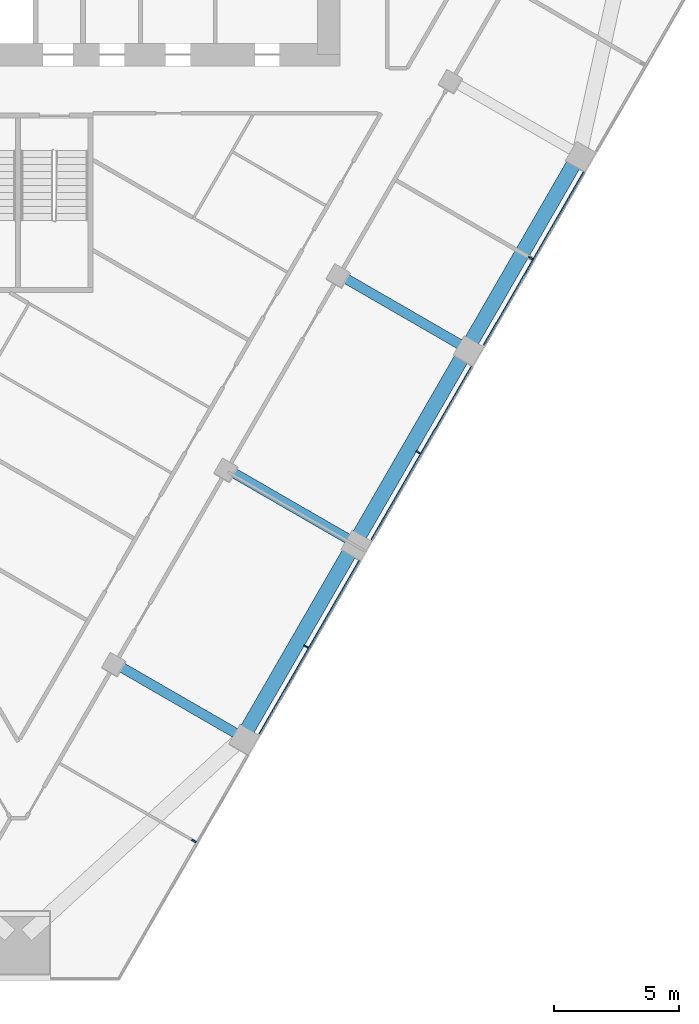
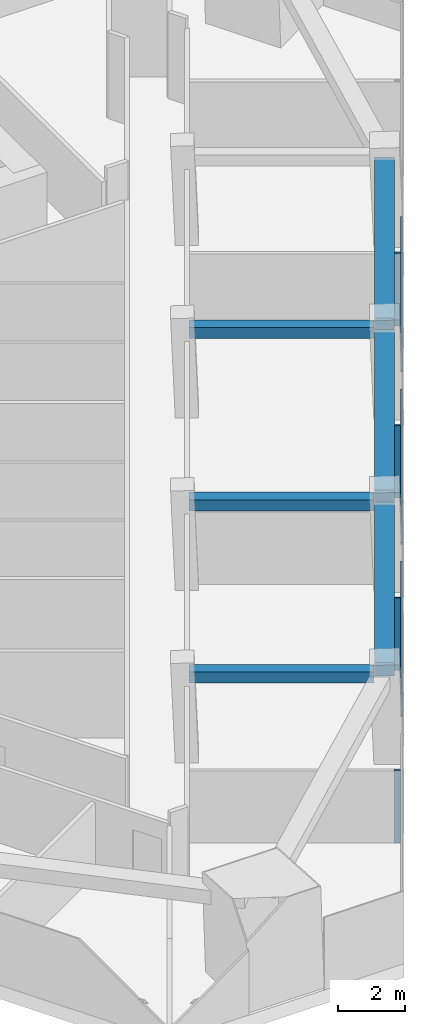
# One storey, part 4 of 14: 7 members, 6 beams, 1 element without a shape of its own.
"""IFC4 building model written with IfcOpenShell, lengths in metres."""

from ifc_helpers import new_model, si_unit, direction, frame, origin, origin_2d, place, context, subcontext, project, spatial, rectangle, extrude, material, layer, layer_set, material_profile, profile_set, type_object, element, aggregate, save


model = new_model("IFC4")

# Units and contexts
model_context = context("Model", 3, precision=1e-05, world=origin(), true_north=direction((0.0, 1.0)))
body_context = subcontext(model_context, "Body", "Model", "MODEL_VIEW")
ifc_project = project(units=[si_unit("LENGTHUNIT", "METRE"), si_unit("AREAUNIT", "SQUARE_METRE"), si_unit("VOLUMEUNIT", "CUBIC_METRE"), si_unit("PLANEANGLEUNIT", "RADIAN"), si_unit("MASSUNIT", "GRAM", prefix="KILO")], contexts=[model_context])

# Site, building, storey
site_placement = place(None, origin())
site = spatial("IfcSite", under=ifc_project, at=site_placement, CompositionType="ELEMENT")
building_placement = place(site_placement, origin())
building = spatial("IfcBuilding", under=site, at=building_placement, Name="Altiplano Prism Tower", CompositionType="ELEMENT")
storey_placement = place(building_placement, frame((0.0, 0.0, 115.199951171875)))
storey = spatial("IfcBuildingStorey", under=building, at=storey_placement, Name="L29", CompositionType="ELEMENT", Elevation=115.199951171875)

# Curtain wall, members
ifc_material_1 = material(Name="Aluminium and glass", Category="aluminium")
ifc_layer = layer(ifc_material_1, 0.303955078125)
ifc_layer_set = layer_set([ifc_layer], Name="Aluminium and glass")
curtain_wall_type = type_object("IfcCurtainWallType", Name="CW2 lounge-band unitised glazing", PredefinedType="NOTDEFINED", material=ifc_layer_set)
curtain_wall_placement = place(storey_placement, origin())
curtain_wall = element("IfcCurtainWall", 1, at=curtain_wall_placement, inside=storey, type_object=curtain_wall_type, Name="CW2 curtain wall south-east face L29", PredefinedType="NOTDEFINED")
ifc_material_2 = material(Name="Aluminium", Category="aluminium")
ifc_material_profile_1 = material_profile(ifc_material_2, rectangle(XDim=0.199951171875, YDim=0.06005859375, at=origin_2d()), Name="CW2 mullion 60 x 200")
ifc_profile_set_1 = profile_set([ifc_material_profile_1], Name="Aluminium")
member_type_1 = type_object("IfcMemberType", Name="CW2 mullion 60 x 200", PredefinedType="MULLION", material=ifc_profile_set_1)
member_1_placement = place(storey_placement, frame((92.050048828125, 61.407958984375, 0.0), z_axis=(0.0, 0.0, 1.0), x_axis=(-0.866025407711, 0.499999993198, 0.0)))
member_1 = element("IfcMember", 2, at=member_1_placement, type_object=member_type_1, Name="CW2 mullion", PredefinedType="MULLION", context=body_context, shape_type="SweptSolid", body=[
    extrude(rectangle(XDim=0.199951171875, YDim=0.06005859375, at=origin_2d()), origin(), (0.0, 0.0, 1.0), 2.650146484375),
])
member_2_placement = place(storey_placement, frame((96.550048828125, 69.2021484375, 0.0), z_axis=(0.0, 0.0, 1.0), x_axis=(-0.866025407711, 0.499999993198, 0.0)))
member_2 = element("IfcMember", 3, at=member_2_placement, type_object=member_type_1, Name="CW2 mullion", PredefinedType="MULLION", context=body_context, shape_type="SweptSolid", body=[
    extrude(rectangle(XDim=0.199951171875, YDim=0.06005859375, at=origin_2d()), origin(), (0.0, 0.0, 1.0), 2.650146484375),
])
member_3_placement = place(storey_placement, frame((101.050048828125, 76.996337890625, 0.0), z_axis=(0.0, 0.0, 1.0), x_axis=(-0.866025407711, 0.499999993198, 0.0)))
member_3 = element("IfcMember", 4, at=member_3_placement, type_object=member_type_1, Name="CW2 mullion", PredefinedType="MULLION", context=body_context, shape_type="SweptSolid", body=[
    extrude(rectangle(XDim=0.199951171875, YDim=0.06005859375, at=origin_2d()), origin(), (0.0, 0.0, 1.0), 2.650146484375),
])
member_4_placement = place(storey_placement, frame((105.550048828125, 84.79052734375, 0.0), z_axis=(0.0, 0.0, 1.0), x_axis=(-0.866025407711, 0.499999993198, 0.0)))
member_4 = element("IfcMember", 5, at=member_4_placement, type_object=member_type_1, Name="CW2 mullion", PredefinedType="MULLION", context=body_context, shape_type="SweptSolid", body=[
    extrude(rectangle(XDim=0.199951171875, YDim=0.06005859375, at=origin_2d()), origin(), (0.0, 0.0, 1.0), 2.650146484375),
])
ifc_material_profile_2 = material_profile(ifc_material_2, rectangle(XDim=0.06005859375, YDim=0.080078125, at=origin_2d()), Name="CW2 transom 80 x 60")
ifc_profile_set_2 = profile_set([ifc_material_profile_2], Name="Aluminium")
member_type_2 = type_object("IfcMemberType", Name="CW2 transom 80 x 60", PredefinedType="USERDEFINED", material=ifc_profile_set_2)
member_5_placement = place(storey_placement, frame((94.677490234375, 65.698486328125, 1.10009765625), z_axis=(0.499976305243, 0.866039083527, 0.0), x_axis=(-0.866039083527, 0.499976305243, 0.0)))
member_5 = element("IfcMember", 6, at=member_5_placement, type_object=member_type_2, Name="CW2 transom", ObjectType="TRANSOM", PredefinedType="USERDEFINED", context=body_context, shape_type="SweptSolid", body=[
    extrude(rectangle(XDim=0.06005859375, YDim=0.080078125, at=origin_2d()), origin(), (0.0, 0.0, 1.0), 8.02001953125),
])
member_6_placement = place(storey_placement, frame((99.177490234375, 73.49267578125, 1.10009765625), z_axis=(0.499976305243, 0.866039083527, 0.0), x_axis=(-0.866039083527, 0.499976305243, 0.0)))
member_6 = element("IfcMember", 7, at=member_6_placement, type_object=member_type_2, Name="CW2 transom", ObjectType="TRANSOM", PredefinedType="USERDEFINED", context=body_context, shape_type="SweptSolid", body=[
    extrude(rectangle(XDim=0.06005859375, YDim=0.080078125, at=origin_2d()), origin(), (0.0, 0.0, 1.0), 8.02001953125),
])
member_7_placement = place(storey_placement, frame((103.677490234375, 81.287109375, 1.10009765625), z_axis=(0.499989486807, 0.866031473494, 0.0), x_axis=(-0.866031473494, 0.499989486807, 0.0)))
member_7 = element("IfcMember", 8, at=member_7_placement, type_object=member_type_2, Name="CW2 transom", ObjectType="TRANSOM", PredefinedType="USERDEFINED", context=body_context, shape_type="SweptSolid", body=[
    extrude(rectangle(XDim=0.06005859375, YDim=0.080078125, at=origin_2d()), origin(), (0.0, 0.0, 1.0), 8.019775390625),
])
aggregate(curtain_wall, [member_1, member_2, member_5, member_3, member_6, member_4, member_7])

# Beams
ifc_material_3 = material(Name="Concrete C60/75", Category="concrete")
ifc_material_profile_3 = material_profile(ifc_material_3, rectangle(XDim=0.60009765625, YDim=0.5, at=origin_2d()), Name="Edge beam 600x500")
ifc_profile_set_3 = profile_set([ifc_material_profile_3], Name="Concrete C60/75")
beam_type_1 = type_object("IfcBeamType", Name="Edge beam 600x500", PredefinedType="SPANDREL", material=ifc_profile_set_3)
for number, where, z_axis, x_axis, name in (
    (9, (94.15966796875, 65.830810546875, 2.900146484375), (0.499988621418, 0.866031973112, 0.0), (-0.866031973112, 0.499988621418, 0.0), "Edge beam P21-P22 L30"),
    (10, (98.65966796875, 73.625, 2.900146484375), (0.499988621418, 0.866031973112, 0.0), (-0.866031973112, 0.499988621418, 0.0), "Edge beam P22-P23 L30"),
    (11, (103.15966796875, 81.419189453125, 2.900146484375), (0.499988621418, 0.866031973112, 0.0), (-0.866031973112, 0.499988621418, 0.0), "Edge beam P23-P24 L30"),
):
    element("IfcBeam", number, at=place(storey_placement, frame(where, z_axis=z_axis, x_axis=x_axis)), inside=storey, type_object=beam_type_1, Name=name, PredefinedType="SPANDREL", context=body_context, shape_type="SweptSolid", body=[
        extrude(rectangle(XDim=0.60009765625, YDim=0.5, at=origin_2d()), origin(), (0.0, 0.0, 1.0), 8.389892578125),
    ])
ifc_material_profile_4 = material_profile(ifc_material_3, rectangle(XDim=0.39990234375, YDim=0.39990234375, at=origin_2d()), Name="Tie beam 400x400")
ifc_profile_set_4 = profile_set([ifc_material_profile_4], Name="Concrete C60/75")
beam_type_2 = type_object("IfcBeamType", Name="Tie beam 400x400", PredefinedType="BEAM", material=ifc_profile_set_4)
for number, where, z_axis, x_axis, name in (
    (12, (88.945068359375, 68.489013671875, 2.949951171875), (0.866027073272, -0.499997108352, 0.0), (0.499997108352, 0.866027073272, 0.0), "Tie beam I21 L30"),
    (13, (93.445068359375, 76.283203125, 2.949951171875), (0.866046155052, -0.499964056028, 0.0), (0.499964056028, 0.866046155052, 0.0), "Tie beam I22 L30"),
    (14, (97.945068359375, 84.07763671875, 2.949951171875), (0.866027073272, -0.499997108352, 0.0), (0.499997108352, 0.866027073272, 0.0), "Tie beam I23 L30"),
):
    element("IfcBeam", number, at=place(storey_placement, frame(where, z_axis=z_axis, x_axis=x_axis)), inside=storey, type_object=beam_type_2, Name=name, PredefinedType="BEAM", context=body_context, shape_type="SweptSolid", body=[
        extrude(rectangle(XDim=0.39990234375, YDim=0.39990234375, at=origin_2d()), origin(), (0.0, 0.0, 1.0), 5.5400390625),
    ])

save(model, "model.ifc")
